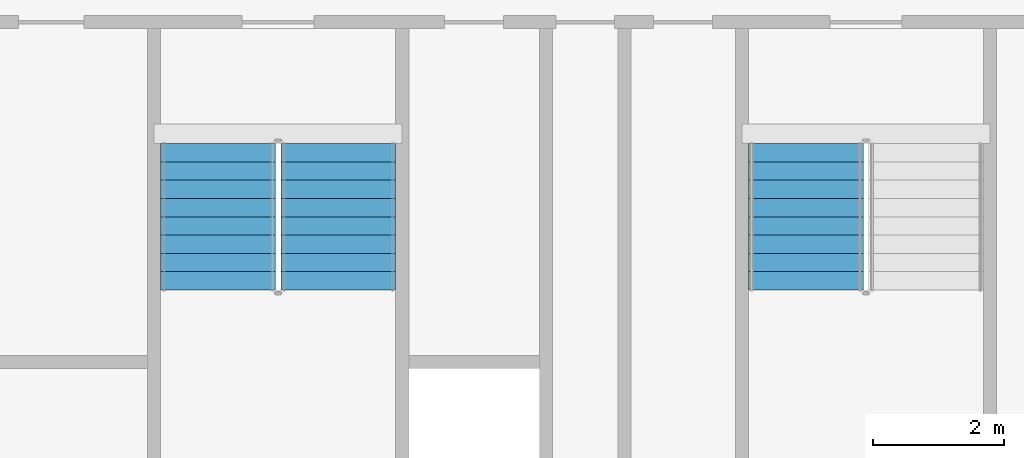
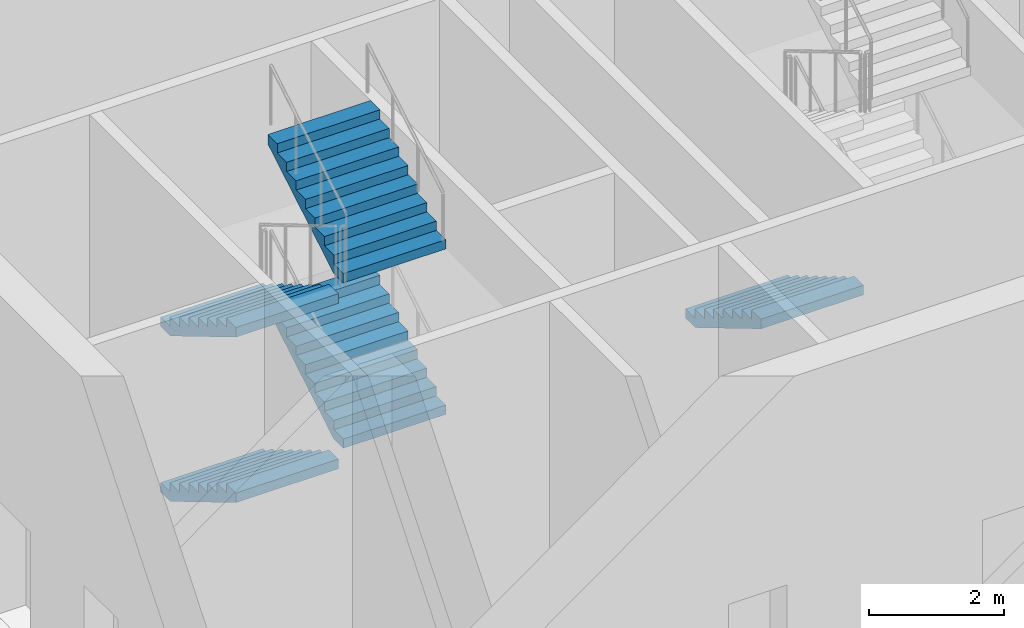
# One storey, part 24 of 33: 5 stair flights, 2 elements without a shape of their own.
"""IFC4 building model written with IfcOpenShell, lengths in metres."""

from ifc_helpers import new_model, si_unit, direction, frame, origin, place, context, subcontext, project, spatial, faceted_brep, material, type_object, element, aggregate, save


model = new_model("IFC4")

# Units and contexts
model_context = context("Model", 3, precision=1e-05, world=origin(), true_north=direction((0.0, 1.0)))
body_context = subcontext(model_context, "Body", "Model", "MODEL_VIEW")
ifc_project = project(units=[si_unit("LENGTHUNIT", "METRE"), si_unit("AREAUNIT", "SQUARE_METRE"), si_unit("VOLUMEUNIT", "CUBIC_METRE"), si_unit("PLANEANGLEUNIT", "RADIAN"), si_unit("MASSUNIT", "GRAM", prefix="KILO")], contexts=[model_context])

# Site, building, storey
site_placement = place(None, origin())
site = spatial("IfcSite", under=ifc_project, at=site_placement, CompositionType="ELEMENT")
building_placement = place(site_placement, origin())
building = spatial("IfcBuilding", under=site, at=building_placement, Name="Tarsis Ring Headquarters", CompositionType="ELEMENT")
storey_placement = place(building_placement, frame((0.0, 0.0, 302.0)))
storey = spatial("IfcBuildingStorey", under=building, at=storey_placement, Name="L71", CompositionType="ELEMENT", Elevation=302.0)

# Stair, stair flights
ifc_material_1 = material(Name="Core stair 1760")
stair_type = type_object("IfcStairType", Name="Core stair 1760", PredefinedType="HALF_TURN_STAIR", material=ifc_material_1)
stair_1_placement = place(storey_placement, origin())
stair_1 = element("IfcStair", 1, at=stair_1_placement, inside=storey, type_object=stair_type, Name="L71 Exit stair C", PredefinedType="HALF_TURN_STAIR")
ifc_material_2 = material(Name="Concrete C40/50", Category="concrete")
stair_flight_type = type_object("IfcStairFlightType", Name="Core stair flight 1760", PredefinedType="STRAIGHT", material=ifc_material_2)
stair_flight_1_placement = place(storey_placement, frame((-5.419921875, -3.659912109375, 0.0), z_axis=(0.0, 0.0, 1.0), x_axis=(0.0, -1.0, 0.0)))
stair_flight_1 = element("IfcStairFlight", 2, at=stair_flight_1_placement, type_object=stair_flight_type, Name="Stair ST3 flight 1", NumberOfRisers=9, NumberOfTreads=8, PredefinedType="STRAIGHT", RiserHeight=0.166666667, TreadLength=0.28, context=body_context, shape_type="Brep", body=[
    faceted_brep([(0.0, 0.8798828125, 0.0), (0.0, 0.8798828125, 0.166748046875), (0.280029296875, 0.8798828125, 0.166748046875), (0.280029296875, 0.8798828125, 0.333251953125), (0.56005859375, 0.8798828125, 0.333251953125), (0.56005859375, 0.8798828125, 0.5), (0.840087890625, 0.8798828125, 0.5), (0.840087890625, 0.8798828125, 0.666748046875), (1.1201171875, 0.8798828125, 0.666748046875), (1.1201171875, 0.8798828125, 0.833251953125), (1.39990234375, 0.8798828125, 0.833251953125), (1.39990234375, 0.8798828125, 1.0), (1.679931640625, 0.8798828125, 1.0), (1.679931640625, 0.8798828125, 1.166748046875), (1.9599609375, 0.8798828125, 1.166748046875), (1.9599609375, 0.8798828125, 1.333251953125), (2.239990234375, 0.8798828125, 1.333251953125), (2.239990234375, 0.8798828125, 1.158935546875), (0.29296875, 0.8798828125, 0.0), (0.29296875, -0.8798828125, 0.0), (2.239990234375, -0.8798828125, 1.158935546875), (2.239990234375, -0.8798828125, 1.333251953125), (1.9599609375, -0.8798828125, 1.333251953125), (1.9599609375, -0.8798828125, 1.166748046875), (1.679931640625, -0.8798828125, 1.166748046875), (1.679931640625, -0.8798828125, 1.0), (1.39990234375, -0.8798828125, 1.0), (1.39990234375, -0.8798828125, 0.833251953125), (1.1201171875, -0.8798828125, 0.833251953125), (1.1201171875, -0.8798828125, 0.666748046875), (0.840087890625, -0.8798828125, 0.666748046875), (0.840087890625, -0.8798828125, 0.5), (0.56005859375, -0.8798828125, 0.5), (0.56005859375, -0.8798828125, 0.333251953125), (0.280029296875, -0.8798828125, 0.333251953125), (0.280029296875, -0.8798828125, 0.166748046875), (0.0, -0.8798828125, 0.166748046875), (0.0, -0.8798828125, 0.0), (0.0, -0.43994140625, 0.166748046875), (0.0, -0.43994140625, 0.0), (0.0, 0.0, 0.166748046875), (0.0, 0.0, 0.0), (0.0, 0.43994140625, 0.166748046875), (0.0, 0.43994140625, 0.0), (0.280029296875, -0.43994140625, 0.166748046875), (0.280029296875, 0.0, 0.166748046875), (0.280029296875, 0.43994140625, 0.166748046875), (0.280029296875, -0.43994140625, 0.333251953125), (0.280029296875, 0.0, 0.333251953125), (0.280029296875, 0.43994140625, 0.333251953125), (0.56005859375, -0.43994140625, 0.333251953125), (0.56005859375, 0.0, 0.333251953125), (0.56005859375, 0.43994140625, 0.333251953125), (0.56005859375, -0.43994140625, 0.5), (0.56005859375, 0.0, 0.5), (0.56005859375, 0.43994140625, 0.5), (0.840087890625, -0.43994140625, 0.5), (0.840087890625, 0.0, 0.5), (0.840087890625, 0.43994140625, 0.5), (0.840087890625, -0.43994140625, 0.666748046875), (0.840087890625, 0.0, 0.666748046875), (0.840087890625, 0.43994140625, 0.666748046875), (1.1201171875, -0.43994140625, 0.666748046875), (1.1201171875, 0.0, 0.666748046875), (1.1201171875, 0.43994140625, 0.666748046875), (1.1201171875, -0.43994140625, 0.833251953125), (1.1201171875, 0.0, 0.833251953125), (1.1201171875, 0.43994140625, 0.833251953125), (1.39990234375, -0.43994140625, 0.833251953125), (1.39990234375, 0.0, 0.833251953125), (1.39990234375, 0.43994140625, 0.833251953125), (1.39990234375, -0.43994140625, 1.0), (1.39990234375, 0.0, 1.0), (1.39990234375, 0.43994140625, 1.0), (1.679931640625, -0.43994140625, 1.0), (1.679931640625, 0.0, 1.0), (1.679931640625, 0.43994140625, 1.0), (1.679931640625, -0.43994140625, 1.166748046875), (1.679931640625, 0.0, 1.166748046875), (1.679931640625, 0.43994140625, 1.166748046875), (1.9599609375, -0.43994140625, 1.166748046875), (1.9599609375, 0.0, 1.166748046875), (1.9599609375, 0.43994140625, 1.166748046875), (1.9599609375, -0.43994140625, 1.333251953125), (1.9599609375, 0.0, 1.333251953125), (1.9599609375, 0.43994140625, 1.333251953125), (2.239990234375, -0.43994140625, 1.333251953125), (2.239990234375, 0.0, 1.333251953125), (2.239990234375, 0.43994140625, 1.333251953125), (2.239990234375, -0.43994140625, 1.158935546875), (2.239990234375, 0.0, 1.158935546875), (2.239990234375, 0.43994140625, 1.158935546875), (0.29296875, -0.43994140625, 0.0), (0.29296875, 0.0, 0.0), (0.29296875, 0.43994140625, 0.0)], [[[0, 1, 2, 3, 4, 5, 6, 7, 8, 9, 10, 11, 12, 13, 14, 15, 16, 17, 18]], [[19, 20, 21, 22, 23, 24, 25, 26, 27, 28, 29, 30, 31, 32, 33, 34, 35, 36, 37]], [[37, 36, 38, 39]], [[39, 38, 40, 41]], [[41, 40, 42, 43]], [[43, 42, 1, 0]], [[36, 35, 44, 38]], [[38, 44, 45, 40]], [[40, 45, 46, 42]], [[42, 46, 2, 1]], [[35, 34, 47, 44]], [[44, 47, 48, 45]], [[45, 48, 49, 46]], [[46, 49, 3, 2]], [[34, 33, 50, 47]], [[47, 50, 51, 48]], [[48, 51, 52, 49]], [[49, 52, 4, 3]], [[33, 32, 53, 50]], [[50, 53, 54, 51]], [[51, 54, 55, 52]], [[52, 55, 5, 4]], [[32, 31, 56, 53]], [[53, 56, 57, 54]], [[54, 57, 58, 55]], [[55, 58, 6, 5]], [[31, 30, 59, 56]], [[56, 59, 60, 57]], [[57, 60, 61, 58]], [[58, 61, 7, 6]], [[30, 29, 62, 59]], [[59, 62, 63, 60]], [[60, 63, 64, 61]], [[61, 64, 8, 7]], [[29, 28, 65, 62]], [[62, 65, 66, 63]], [[63, 66, 67, 64]], [[64, 67, 9, 8]], [[28, 27, 68, 65]], [[65, 68, 69, 66]], [[66, 69, 70, 67]], [[67, 70, 10, 9]], [[27, 26, 71, 68]], [[68, 71, 72, 69]], [[69, 72, 73, 70]], [[70, 73, 11, 10]], [[26, 25, 74, 71]], [[71, 74, 75, 72]], [[72, 75, 76, 73]], [[73, 76, 12, 11]], [[25, 24, 77, 74]], [[74, 77, 78, 75]], [[75, 78, 79, 76]], [[76, 79, 13, 12]], [[24, 23, 80, 77]], [[77, 80, 81, 78]], [[78, 81, 82, 79]], [[79, 82, 14, 13]], [[23, 22, 83, 80]], [[80, 83, 84, 81]], [[81, 84, 85, 82]], [[82, 85, 15, 14]], [[22, 21, 86, 83]], [[83, 86, 87, 84]], [[84, 87, 88, 85]], [[85, 88, 16, 15]], [[21, 20, 89, 86]], [[86, 89, 90, 87]], [[87, 90, 91, 88]], [[88, 91, 17, 16]], [[20, 19, 92, 89]], [[89, 92, 93, 90]], [[90, 93, 94, 91]], [[91, 94, 18, 17]], [[19, 37, 39, 92]], [[92, 39, 41, 93]], [[93, 41, 43, 94]], [[94, 43, 0, 18]]]),
])
stair_flight_2_placement = place(storey_placement, frame((-3.580078125, -5.89990234375, 1.5), z_axis=(0.0, 0.0, 1.0), x_axis=(0.0, 1.0, 0.0)))
stair_flight_2 = element("IfcStairFlight", 3, at=stair_flight_2_placement, type_object=stair_flight_type, Name="Stair ST3 flight 2", NumberOfRisers=9, NumberOfTreads=8, PredefinedType="STRAIGHT", RiserHeight=0.166666667, TreadLength=0.28, context=body_context, shape_type="Brep", body=[
    faceted_brep([(0.0, 0.8798828125, 0.0), (0.0, 0.8798828125, 0.166748046875), (0.280029296875, 0.8798828125, 0.166748046875), (0.280029296875, 0.8798828125, 0.333251953125), (0.56005859375, 0.8798828125, 0.333251953125), (0.56005859375, 0.8798828125, 0.5), (0.840087890625, 0.8798828125, 0.5), (0.840087890625, 0.8798828125, 0.666748046875), (1.1201171875, 0.8798828125, 0.666748046875), (1.1201171875, 0.8798828125, 0.833251953125), (1.39990234375, 0.8798828125, 0.833251953125), (1.39990234375, 0.8798828125, 1.0), (1.679931640625, 0.8798828125, 1.0), (1.679931640625, 0.8798828125, 1.166748046875), (1.9599609375, 0.8798828125, 1.166748046875), (1.9599609375, 0.8798828125, 1.333251953125), (2.239990234375, 0.8798828125, 1.333251953125), (2.239990234375, 0.8798828125, 1.158935546875), (0.29296875, 0.8798828125, 0.0), (0.29296875, -0.8798828125, 0.0), (2.239990234375, -0.8798828125, 1.158935546875), (2.239990234375, -0.8798828125, 1.333251953125), (1.9599609375, -0.8798828125, 1.333251953125), (1.9599609375, -0.8798828125, 1.166748046875), (1.679931640625, -0.8798828125, 1.166748046875), (1.679931640625, -0.8798828125, 1.0), (1.39990234375, -0.8798828125, 1.0), (1.39990234375, -0.8798828125, 0.833251953125), (1.1201171875, -0.8798828125, 0.833251953125), (1.1201171875, -0.8798828125, 0.666748046875), (0.840087890625, -0.8798828125, 0.666748046875), (0.840087890625, -0.8798828125, 0.5), (0.56005859375, -0.8798828125, 0.5), (0.56005859375, -0.8798828125, 0.333251953125), (0.280029296875, -0.8798828125, 0.333251953125), (0.280029296875, -0.8798828125, 0.166748046875), (0.0, -0.8798828125, 0.166748046875), (0.0, -0.8798828125, 0.0), (0.0, -0.43994140625, 0.166748046875), (0.0, -0.43994140625, 0.0), (0.0, 0.0, 0.166748046875), (0.0, 0.0, 0.0), (0.0, 0.43994140625, 0.166748046875), (0.0, 0.43994140625, 0.0), (0.280029296875, -0.43994140625, 0.166748046875), (0.280029296875, 0.0, 0.166748046875), (0.280029296875, 0.43994140625, 0.166748046875), (0.280029296875, -0.43994140625, 0.333251953125), (0.280029296875, 0.0, 0.333251953125), (0.280029296875, 0.43994140625, 0.333251953125), (0.56005859375, -0.43994140625, 0.333251953125), (0.56005859375, 0.0, 0.333251953125), (0.56005859375, 0.43994140625, 0.333251953125), (0.56005859375, -0.43994140625, 0.5), (0.56005859375, 0.0, 0.5), (0.56005859375, 0.43994140625, 0.5), (0.840087890625, -0.43994140625, 0.5), (0.840087890625, 0.0, 0.5), (0.840087890625, 0.43994140625, 0.5), (0.840087890625, -0.43994140625, 0.666748046875), (0.840087890625, 0.0, 0.666748046875), (0.840087890625, 0.43994140625, 0.666748046875), (1.1201171875, -0.43994140625, 0.666748046875), (1.1201171875, 0.0, 0.666748046875), (1.1201171875, 0.43994140625, 0.666748046875), (1.1201171875, -0.43994140625, 0.833251953125), (1.1201171875, 0.0, 0.833251953125), (1.1201171875, 0.43994140625, 0.833251953125), (1.39990234375, -0.43994140625, 0.833251953125), (1.39990234375, 0.0, 0.833251953125), (1.39990234375, 0.43994140625, 0.833251953125), (1.39990234375, -0.43994140625, 1.0), (1.39990234375, 0.0, 1.0), (1.39990234375, 0.43994140625, 1.0), (1.679931640625, -0.43994140625, 1.0), (1.679931640625, 0.0, 1.0), (1.679931640625, 0.43994140625, 1.0), (1.679931640625, -0.43994140625, 1.166748046875), (1.679931640625, 0.0, 1.166748046875), (1.679931640625, 0.43994140625, 1.166748046875), (1.9599609375, -0.43994140625, 1.166748046875), (1.9599609375, 0.0, 1.166748046875), (1.9599609375, 0.43994140625, 1.166748046875), (1.9599609375, -0.43994140625, 1.333251953125), (1.9599609375, 0.0, 1.333251953125), (1.9599609375, 0.43994140625, 1.333251953125), (2.239990234375, -0.43994140625, 1.333251953125), (2.239990234375, 0.0, 1.333251953125), (2.239990234375, 0.43994140625, 1.333251953125), (2.239990234375, -0.43994140625, 1.158935546875), (2.239990234375, 0.0, 1.158935546875), (2.239990234375, 0.43994140625, 1.158935546875), (0.29296875, -0.43994140625, 0.0), (0.29296875, 0.0, 0.0), (0.29296875, 0.43994140625, 0.0)], [[[0, 1, 2, 3, 4, 5, 6, 7, 8, 9, 10, 11, 12, 13, 14, 15, 16, 17, 18]], [[19, 20, 21, 22, 23, 24, 25, 26, 27, 28, 29, 30, 31, 32, 33, 34, 35, 36, 37]], [[37, 36, 38, 39]], [[39, 38, 40, 41]], [[41, 40, 42, 43]], [[43, 42, 1, 0]], [[36, 35, 44, 38]], [[38, 44, 45, 40]], [[40, 45, 46, 42]], [[42, 46, 2, 1]], [[35, 34, 47, 44]], [[44, 47, 48, 45]], [[45, 48, 49, 46]], [[46, 49, 3, 2]], [[34, 33, 50, 47]], [[47, 50, 51, 48]], [[48, 51, 52, 49]], [[49, 52, 4, 3]], [[33, 32, 53, 50]], [[50, 53, 54, 51]], [[51, 54, 55, 52]], [[52, 55, 5, 4]], [[32, 31, 56, 53]], [[53, 56, 57, 54]], [[54, 57, 58, 55]], [[55, 58, 6, 5]], [[31, 30, 59, 56]], [[56, 59, 60, 57]], [[57, 60, 61, 58]], [[58, 61, 7, 6]], [[30, 29, 62, 59]], [[59, 62, 63, 60]], [[60, 63, 64, 61]], [[61, 64, 8, 7]], [[29, 28, 65, 62]], [[62, 65, 66, 63]], [[63, 66, 67, 64]], [[64, 67, 9, 8]], [[28, 27, 68, 65]], [[65, 68, 69, 66]], [[66, 69, 70, 67]], [[67, 70, 10, 9]], [[27, 26, 71, 68]], [[68, 71, 72, 69]], [[69, 72, 73, 70]], [[70, 73, 11, 10]], [[26, 25, 74, 71]], [[71, 74, 75, 72]], [[72, 75, 76, 73]], [[73, 76, 12, 11]], [[25, 24, 77, 74]], [[74, 77, 78, 75]], [[75, 78, 79, 76]], [[76, 79, 13, 12]], [[24, 23, 80, 77]], [[77, 80, 81, 78]], [[78, 81, 82, 79]], [[79, 82, 14, 13]], [[23, 22, 83, 80]], [[80, 83, 84, 81]], [[81, 84, 85, 82]], [[82, 85, 15, 14]], [[22, 21, 86, 83]], [[83, 86, 87, 84]], [[84, 87, 88, 85]], [[85, 88, 16, 15]], [[21, 20, 89, 86]], [[86, 89, 90, 87]], [[87, 90, 91, 88]], [[88, 91, 17, 16]], [[20, 19, 92, 89]], [[89, 92, 93, 90]], [[90, 93, 94, 91]], [[91, 94, 18, 17]], [[19, 37, 39, 92]], [[92, 39, 41, 93]], [[93, 41, 43, 94]], [[94, 43, 0, 18]]]),
])
stair_flight_3_placement = place(storey_placement, frame((-5.419921875, -3.659912109375, 3.0), z_axis=(0.0, 0.0, 1.0), x_axis=(0.0, -1.0, 0.0)))
stair_flight_3 = element("IfcStairFlight", 4, at=stair_flight_3_placement, type_object=stair_flight_type, Name="Stair ST3 flight 3", NumberOfRisers=9, NumberOfTreads=8, PredefinedType="STRAIGHT", RiserHeight=0.166666667, TreadLength=0.28, context=body_context, shape_type="Brep", body=[
    faceted_brep([(0.0, 0.8798828125, 0.0), (0.0, 0.8798828125, 0.166748046875), (0.280029296875, 0.8798828125, 0.166748046875), (0.280029296875, 0.8798828125, 0.333251953125), (0.56005859375, 0.8798828125, 0.333251953125), (0.56005859375, 0.8798828125, 0.5), (0.840087890625, 0.8798828125, 0.5), (0.840087890625, 0.8798828125, 0.666748046875), (1.1201171875, 0.8798828125, 0.666748046875), (1.1201171875, 0.8798828125, 0.833251953125), (1.39990234375, 0.8798828125, 0.833251953125), (1.39990234375, 0.8798828125, 1.0), (1.679931640625, 0.8798828125, 1.0), (1.679931640625, 0.8798828125, 1.166748046875), (1.9599609375, 0.8798828125, 1.166748046875), (1.9599609375, 0.8798828125, 1.333251953125), (2.239990234375, 0.8798828125, 1.333251953125), (2.239990234375, 0.8798828125, 1.158935546875), (0.29296875, 0.8798828125, 0.0), (0.29296875, -0.8798828125, 0.0), (2.239990234375, -0.8798828125, 1.158935546875), (2.239990234375, -0.8798828125, 1.333251953125), (1.9599609375, -0.8798828125, 1.333251953125), (1.9599609375, -0.8798828125, 1.166748046875), (1.679931640625, -0.8798828125, 1.166748046875), (1.679931640625, -0.8798828125, 1.0), (1.39990234375, -0.8798828125, 1.0), (1.39990234375, -0.8798828125, 0.833251953125), (1.1201171875, -0.8798828125, 0.833251953125), (1.1201171875, -0.8798828125, 0.666748046875), (0.840087890625, -0.8798828125, 0.666748046875), (0.840087890625, -0.8798828125, 0.5), (0.56005859375, -0.8798828125, 0.5), (0.56005859375, -0.8798828125, 0.333251953125), (0.280029296875, -0.8798828125, 0.333251953125), (0.280029296875, -0.8798828125, 0.166748046875), (0.0, -0.8798828125, 0.166748046875), (0.0, -0.8798828125, 0.0), (0.0, -0.43994140625, 0.166748046875), (0.0, -0.43994140625, 0.0), (0.0, 0.0, 0.166748046875), (0.0, 0.0, 0.0), (0.0, 0.43994140625, 0.166748046875), (0.0, 0.43994140625, 0.0), (0.280029296875, -0.43994140625, 0.166748046875), (0.280029296875, 0.0, 0.166748046875), (0.280029296875, 0.43994140625, 0.166748046875), (0.280029296875, -0.43994140625, 0.333251953125), (0.280029296875, 0.0, 0.333251953125), (0.280029296875, 0.43994140625, 0.333251953125), (0.56005859375, -0.43994140625, 0.333251953125), (0.56005859375, 0.0, 0.333251953125), (0.56005859375, 0.43994140625, 0.333251953125), (0.56005859375, -0.43994140625, 0.5), (0.56005859375, 0.0, 0.5), (0.56005859375, 0.43994140625, 0.5), (0.840087890625, -0.43994140625, 0.5), (0.840087890625, 0.0, 0.5), (0.840087890625, 0.43994140625, 0.5), (0.840087890625, -0.43994140625, 0.666748046875), (0.840087890625, 0.0, 0.666748046875), (0.840087890625, 0.43994140625, 0.666748046875), (1.1201171875, -0.43994140625, 0.666748046875), (1.1201171875, 0.0, 0.666748046875), (1.1201171875, 0.43994140625, 0.666748046875), (1.1201171875, -0.43994140625, 0.833251953125), (1.1201171875, 0.0, 0.833251953125), (1.1201171875, 0.43994140625, 0.833251953125), (1.39990234375, -0.43994140625, 0.833251953125), (1.39990234375, 0.0, 0.833251953125), (1.39990234375, 0.43994140625, 0.833251953125), (1.39990234375, -0.43994140625, 1.0), (1.39990234375, 0.0, 1.0), (1.39990234375, 0.43994140625, 1.0), (1.679931640625, -0.43994140625, 1.0), (1.679931640625, 0.0, 1.0), (1.679931640625, 0.43994140625, 1.0), (1.679931640625, -0.43994140625, 1.166748046875), (1.679931640625, 0.0, 1.166748046875), (1.679931640625, 0.43994140625, 1.166748046875), (1.9599609375, -0.43994140625, 1.166748046875), (1.9599609375, 0.0, 1.166748046875), (1.9599609375, 0.43994140625, 1.166748046875), (1.9599609375, -0.43994140625, 1.333251953125), (1.9599609375, 0.0, 1.333251953125), (1.9599609375, 0.43994140625, 1.333251953125), (2.239990234375, -0.43994140625, 1.333251953125), (2.239990234375, 0.0, 1.333251953125), (2.239990234375, 0.43994140625, 1.333251953125), (2.239990234375, -0.43994140625, 1.158935546875), (2.239990234375, 0.0, 1.158935546875), (2.239990234375, 0.43994140625, 1.158935546875), (0.29296875, -0.43994140625, 0.0), (0.29296875, 0.0, 0.0), (0.29296875, 0.43994140625, 0.0)], [[[0, 1, 2, 3, 4, 5, 6, 7, 8, 9, 10, 11, 12, 13, 14, 15, 16, 17, 18]], [[19, 20, 21, 22, 23, 24, 25, 26, 27, 28, 29, 30, 31, 32, 33, 34, 35, 36, 37]], [[37, 36, 38, 39]], [[39, 38, 40, 41]], [[41, 40, 42, 43]], [[43, 42, 1, 0]], [[36, 35, 44, 38]], [[38, 44, 45, 40]], [[40, 45, 46, 42]], [[42, 46, 2, 1]], [[35, 34, 47, 44]], [[44, 47, 48, 45]], [[45, 48, 49, 46]], [[46, 49, 3, 2]], [[34, 33, 50, 47]], [[47, 50, 51, 48]], [[48, 51, 52, 49]], [[49, 52, 4, 3]], [[33, 32, 53, 50]], [[50, 53, 54, 51]], [[51, 54, 55, 52]], [[52, 55, 5, 4]], [[32, 31, 56, 53]], [[53, 56, 57, 54]], [[54, 57, 58, 55]], [[55, 58, 6, 5]], [[31, 30, 59, 56]], [[56, 59, 60, 57]], [[57, 60, 61, 58]], [[58, 61, 7, 6]], [[30, 29, 62, 59]], [[59, 62, 63, 60]], [[60, 63, 64, 61]], [[61, 64, 8, 7]], [[29, 28, 65, 62]], [[62, 65, 66, 63]], [[63, 66, 67, 64]], [[64, 67, 9, 8]], [[28, 27, 68, 65]], [[65, 68, 69, 66]], [[66, 69, 70, 67]], [[67, 70, 10, 9]], [[27, 26, 71, 68]], [[68, 71, 72, 69]], [[69, 72, 73, 70]], [[70, 73, 11, 10]], [[26, 25, 74, 71]], [[71, 74, 75, 72]], [[72, 75, 76, 73]], [[73, 76, 12, 11]], [[25, 24, 77, 74]], [[74, 77, 78, 75]], [[75, 78, 79, 76]], [[76, 79, 13, 12]], [[24, 23, 80, 77]], [[77, 80, 81, 78]], [[78, 81, 82, 79]], [[79, 82, 14, 13]], [[23, 22, 83, 80]], [[80, 83, 84, 81]], [[81, 84, 85, 82]], [[82, 85, 15, 14]], [[22, 21, 86, 83]], [[83, 86, 87, 84]], [[84, 87, 88, 85]], [[85, 88, 16, 15]], [[21, 20, 89, 86]], [[86, 89, 90, 87]], [[87, 90, 91, 88]], [[88, 91, 17, 16]], [[20, 19, 92, 89]], [[89, 92, 93, 90]], [[90, 93, 94, 91]], [[91, 94, 18, 17]], [[19, 37, 39, 92]], [[92, 39, 41, 93]], [[93, 41, 43, 94]], [[94, 43, 0, 18]]]),
])
stair_flight_4_placement = place(storey_placement, frame((-3.580078125, -5.89990234375, 4.5), z_axis=(0.0, 0.0, 1.0), x_axis=(0.0, 1.0, 0.0)))
stair_flight_4 = element("IfcStairFlight", 5, at=stair_flight_4_placement, type_object=stair_flight_type, Name="Stair ST3 flight 4", NumberOfRisers=9, NumberOfTreads=8, PredefinedType="STRAIGHT", RiserHeight=0.166666667, TreadLength=0.28, context=body_context, shape_type="Brep", body=[
    faceted_brep([(0.0, 0.8798828125, 0.0), (0.0, 0.8798828125, 0.166748046875), (0.280029296875, 0.8798828125, 0.166748046875), (0.280029296875, 0.8798828125, 0.333251953125), (0.56005859375, 0.8798828125, 0.333251953125), (0.56005859375, 0.8798828125, 0.5), (0.840087890625, 0.8798828125, 0.5), (0.840087890625, 0.8798828125, 0.666748046875), (1.1201171875, 0.8798828125, 0.666748046875), (1.1201171875, 0.8798828125, 0.833251953125), (1.39990234375, 0.8798828125, 0.833251953125), (1.39990234375, 0.8798828125, 1.0), (1.679931640625, 0.8798828125, 1.0), (1.679931640625, 0.8798828125, 1.166748046875), (1.9599609375, 0.8798828125, 1.166748046875), (1.9599609375, 0.8798828125, 1.333251953125), (2.239990234375, 0.8798828125, 1.333251953125), (2.239990234375, 0.8798828125, 1.158935546875), (0.29296875, 0.8798828125, 0.0), (0.29296875, -0.8798828125, 0.0), (2.239990234375, -0.8798828125, 1.158935546875), (2.239990234375, -0.8798828125, 1.333251953125), (1.9599609375, -0.8798828125, 1.333251953125), (1.9599609375, -0.8798828125, 1.166748046875), (1.679931640625, -0.8798828125, 1.166748046875), (1.679931640625, -0.8798828125, 1.0), (1.39990234375, -0.8798828125, 1.0), (1.39990234375, -0.8798828125, 0.833251953125), (1.1201171875, -0.8798828125, 0.833251953125), (1.1201171875, -0.8798828125, 0.666748046875), (0.840087890625, -0.8798828125, 0.666748046875), (0.840087890625, -0.8798828125, 0.5), (0.56005859375, -0.8798828125, 0.5), (0.56005859375, -0.8798828125, 0.333251953125), (0.280029296875, -0.8798828125, 0.333251953125), (0.280029296875, -0.8798828125, 0.166748046875), (0.0, -0.8798828125, 0.166748046875), (0.0, -0.8798828125, 0.0), (0.0, -0.43994140625, 0.166748046875), (0.0, -0.43994140625, 0.0), (0.0, 0.0, 0.166748046875), (0.0, 0.0, 0.0), (0.0, 0.43994140625, 0.166748046875), (0.0, 0.43994140625, 0.0), (0.280029296875, -0.43994140625, 0.166748046875), (0.280029296875, 0.0, 0.166748046875), (0.280029296875, 0.43994140625, 0.166748046875), (0.280029296875, -0.43994140625, 0.333251953125), (0.280029296875, 0.0, 0.333251953125), (0.280029296875, 0.43994140625, 0.333251953125), (0.56005859375, -0.43994140625, 0.333251953125), (0.56005859375, 0.0, 0.333251953125), (0.56005859375, 0.43994140625, 0.333251953125), (0.56005859375, -0.43994140625, 0.5), (0.56005859375, 0.0, 0.5), (0.56005859375, 0.43994140625, 0.5), (0.840087890625, -0.43994140625, 0.5), (0.840087890625, 0.0, 0.5), (0.840087890625, 0.43994140625, 0.5), (0.840087890625, -0.43994140625, 0.666748046875), (0.840087890625, 0.0, 0.666748046875), (0.840087890625, 0.43994140625, 0.666748046875), (1.1201171875, -0.43994140625, 0.666748046875), (1.1201171875, 0.0, 0.666748046875), (1.1201171875, 0.43994140625, 0.666748046875), (1.1201171875, -0.43994140625, 0.833251953125), (1.1201171875, 0.0, 0.833251953125), (1.1201171875, 0.43994140625, 0.833251953125), (1.39990234375, -0.43994140625, 0.833251953125), (1.39990234375, 0.0, 0.833251953125), (1.39990234375, 0.43994140625, 0.833251953125), (1.39990234375, -0.43994140625, 1.0), (1.39990234375, 0.0, 1.0), (1.39990234375, 0.43994140625, 1.0), (1.679931640625, -0.43994140625, 1.0), (1.679931640625, 0.0, 1.0), (1.679931640625, 0.43994140625, 1.0), (1.679931640625, -0.43994140625, 1.166748046875), (1.679931640625, 0.0, 1.166748046875), (1.679931640625, 0.43994140625, 1.166748046875), (1.9599609375, -0.43994140625, 1.166748046875), (1.9599609375, 0.0, 1.166748046875), (1.9599609375, 0.43994140625, 1.166748046875), (1.9599609375, -0.43994140625, 1.333251953125), (1.9599609375, 0.0, 1.333251953125), (1.9599609375, 0.43994140625, 1.333251953125), (2.239990234375, -0.43994140625, 1.333251953125), (2.239990234375, 0.0, 1.333251953125), (2.239990234375, 0.43994140625, 1.333251953125), (2.239990234375, -0.43994140625, 1.158935546875), (2.239990234375, 0.0, 1.158935546875), (2.239990234375, 0.43994140625, 1.158935546875), (0.29296875, -0.43994140625, 0.0), (0.29296875, 0.0, 0.0), (0.29296875, 0.43994140625, 0.0)], [[[0, 1, 2, 3, 4, 5, 6, 7, 8, 9, 10, 11, 12, 13, 14, 15, 16, 17, 18]], [[19, 20, 21, 22, 23, 24, 25, 26, 27, 28, 29, 30, 31, 32, 33, 34, 35, 36, 37]], [[37, 36, 38, 39]], [[39, 38, 40, 41]], [[41, 40, 42, 43]], [[43, 42, 1, 0]], [[36, 35, 44, 38]], [[38, 44, 45, 40]], [[40, 45, 46, 42]], [[42, 46, 2, 1]], [[35, 34, 47, 44]], [[44, 47, 48, 45]], [[45, 48, 49, 46]], [[46, 49, 3, 2]], [[34, 33, 50, 47]], [[47, 50, 51, 48]], [[48, 51, 52, 49]], [[49, 52, 4, 3]], [[33, 32, 53, 50]], [[50, 53, 54, 51]], [[51, 54, 55, 52]], [[52, 55, 5, 4]], [[32, 31, 56, 53]], [[53, 56, 57, 54]], [[54, 57, 58, 55]], [[55, 58, 6, 5]], [[31, 30, 59, 56]], [[56, 59, 60, 57]], [[57, 60, 61, 58]], [[58, 61, 7, 6]], [[30, 29, 62, 59]], [[59, 62, 63, 60]], [[60, 63, 64, 61]], [[61, 64, 8, 7]], [[29, 28, 65, 62]], [[62, 65, 66, 63]], [[63, 66, 67, 64]], [[64, 67, 9, 8]], [[28, 27, 68, 65]], [[65, 68, 69, 66]], [[66, 69, 70, 67]], [[67, 70, 10, 9]], [[27, 26, 71, 68]], [[68, 71, 72, 69]], [[69, 72, 73, 70]], [[70, 73, 11, 10]], [[26, 25, 74, 71]], [[71, 74, 75, 72]], [[72, 75, 76, 73]], [[73, 76, 12, 11]], [[25, 24, 77, 74]], [[74, 77, 78, 75]], [[75, 78, 79, 76]], [[76, 79, 13, 12]], [[24, 23, 80, 77]], [[77, 80, 81, 78]], [[78, 81, 82, 79]], [[79, 82, 14, 13]], [[23, 22, 83, 80]], [[80, 83, 84, 81]], [[81, 84, 85, 82]], [[82, 85, 15, 14]], [[22, 21, 86, 83]], [[83, 86, 87, 84]], [[84, 87, 88, 85]], [[85, 88, 16, 15]], [[21, 20, 89, 86]], [[86, 89, 90, 87]], [[87, 90, 91, 88]], [[88, 91, 17, 16]], [[20, 19, 92, 89]], [[89, 92, 93, 90]], [[90, 93, 94, 91]], [[91, 94, 18, 17]], [[19, 37, 39, 92]], [[92, 39, 41, 93]], [[93, 41, 43, 94]], [[94, 43, 0, 18]]]),
])
aggregate(stair_1, [stair_flight_1, stair_flight_2, stair_flight_3, stair_flight_4])

# Stair, stair flight
stair_2_placement = place(storey_placement, origin())
stair_2 = element("IfcStair", 6, at=stair_2_placement, inside=storey, type_object=stair_type, Name="L71 Exit stair D", PredefinedType="HALF_TURN_STAIR")
stair_flight_5_placement = place(storey_placement, frame((3.580078125, -3.659912109375, 0.0), z_axis=(0.0, 0.0, 1.0), x_axis=(0.0, -1.0, 0.0)))
stair_flight_5 = element("IfcStairFlight", 7, at=stair_flight_5_placement, type_object=stair_flight_type, Name="Stair ST4 flight 1", NumberOfRisers=9, NumberOfTreads=8, PredefinedType="STRAIGHT", RiserHeight=0.166666667, TreadLength=0.28, context=body_context, shape_type="Brep", body=[
    faceted_brep([(0.0, 0.8798828125, 0.0), (0.0, 0.8798828125, 0.166748046875), (0.280029296875, 0.8798828125, 0.166748046875), (0.280029296875, 0.8798828125, 0.333251953125), (0.56005859375, 0.8798828125, 0.333251953125), (0.56005859375, 0.8798828125, 0.5), (0.840087890625, 0.8798828125, 0.5), (0.840087890625, 0.8798828125, 0.666748046875), (1.1201171875, 0.8798828125, 0.666748046875), (1.1201171875, 0.8798828125, 0.833251953125), (1.39990234375, 0.8798828125, 0.833251953125), (1.39990234375, 0.8798828125, 1.0), (1.679931640625, 0.8798828125, 1.0), (1.679931640625, 0.8798828125, 1.166748046875), (1.9599609375, 0.8798828125, 1.166748046875), (1.9599609375, 0.8798828125, 1.333251953125), (2.239990234375, 0.8798828125, 1.333251953125), (2.239990234375, 0.8798828125, 1.158935546875), (0.29296875, 0.8798828125, 0.0), (0.29296875, -0.8798828125, 0.0), (2.239990234375, -0.8798828125, 1.158935546875), (2.239990234375, -0.8798828125, 1.333251953125), (1.9599609375, -0.8798828125, 1.333251953125), (1.9599609375, -0.8798828125, 1.166748046875), (1.679931640625, -0.8798828125, 1.166748046875), (1.679931640625, -0.8798828125, 1.0), (1.39990234375, -0.8798828125, 1.0), (1.39990234375, -0.8798828125, 0.833251953125), (1.1201171875, -0.8798828125, 0.833251953125), (1.1201171875, -0.8798828125, 0.666748046875), (0.840087890625, -0.8798828125, 0.666748046875), (0.840087890625, -0.8798828125, 0.5), (0.56005859375, -0.8798828125, 0.5), (0.56005859375, -0.8798828125, 0.333251953125), (0.280029296875, -0.8798828125, 0.333251953125), (0.280029296875, -0.8798828125, 0.166748046875), (0.0, -0.8798828125, 0.166748046875), (0.0, -0.8798828125, 0.0), (0.0, -0.43994140625, 0.166748046875), (0.0, -0.43994140625, 0.0), (0.0, 0.0, 0.166748046875), (0.0, 0.0, 0.0), (0.0, 0.43994140625, 0.166748046875), (0.0, 0.43994140625, 0.0), (0.280029296875, -0.43994140625, 0.166748046875), (0.280029296875, 0.0, 0.166748046875), (0.280029296875, 0.43994140625, 0.166748046875), (0.280029296875, -0.43994140625, 0.333251953125), (0.280029296875, 0.0, 0.333251953125), (0.280029296875, 0.43994140625, 0.333251953125), (0.56005859375, -0.43994140625, 0.333251953125), (0.56005859375, 0.0, 0.333251953125), (0.56005859375, 0.43994140625, 0.333251953125), (0.56005859375, -0.43994140625, 0.5), (0.56005859375, 0.0, 0.5), (0.56005859375, 0.43994140625, 0.5), (0.840087890625, -0.43994140625, 0.5), (0.840087890625, 0.0, 0.5), (0.840087890625, 0.43994140625, 0.5), (0.840087890625, -0.43994140625, 0.666748046875), (0.840087890625, 0.0, 0.666748046875), (0.840087890625, 0.43994140625, 0.666748046875), (1.1201171875, -0.43994140625, 0.666748046875), (1.1201171875, 0.0, 0.666748046875), (1.1201171875, 0.43994140625, 0.666748046875), (1.1201171875, -0.43994140625, 0.833251953125), (1.1201171875, 0.0, 0.833251953125), (1.1201171875, 0.43994140625, 0.833251953125), (1.39990234375, -0.43994140625, 0.833251953125), (1.39990234375, 0.0, 0.833251953125), (1.39990234375, 0.43994140625, 0.833251953125), (1.39990234375, -0.43994140625, 1.0), (1.39990234375, 0.0, 1.0), (1.39990234375, 0.43994140625, 1.0), (1.679931640625, -0.43994140625, 1.0), (1.679931640625, 0.0, 1.0), (1.679931640625, 0.43994140625, 1.0), (1.679931640625, -0.43994140625, 1.166748046875), (1.679931640625, 0.0, 1.166748046875), (1.679931640625, 0.43994140625, 1.166748046875), (1.9599609375, -0.43994140625, 1.166748046875), (1.9599609375, 0.0, 1.166748046875), (1.9599609375, 0.43994140625, 1.166748046875), (1.9599609375, -0.43994140625, 1.333251953125), (1.9599609375, 0.0, 1.333251953125), (1.9599609375, 0.43994140625, 1.333251953125), (2.239990234375, -0.43994140625, 1.333251953125), (2.239990234375, 0.0, 1.333251953125), (2.239990234375, 0.43994140625, 1.333251953125), (2.239990234375, -0.43994140625, 1.158935546875), (2.239990234375, 0.0, 1.158935546875), (2.239990234375, 0.43994140625, 1.158935546875), (0.29296875, -0.43994140625, 0.0), (0.29296875, 0.0, 0.0), (0.29296875, 0.43994140625, 0.0)], [[[0, 1, 2, 3, 4, 5, 6, 7, 8, 9, 10, 11, 12, 13, 14, 15, 16, 17, 18]], [[19, 20, 21, 22, 23, 24, 25, 26, 27, 28, 29, 30, 31, 32, 33, 34, 35, 36, 37]], [[37, 36, 38, 39]], [[39, 38, 40, 41]], [[41, 40, 42, 43]], [[43, 42, 1, 0]], [[36, 35, 44, 38]], [[38, 44, 45, 40]], [[40, 45, 46, 42]], [[42, 46, 2, 1]], [[35, 34, 47, 44]], [[44, 47, 48, 45]], [[45, 48, 49, 46]], [[46, 49, 3, 2]], [[34, 33, 50, 47]], [[47, 50, 51, 48]], [[48, 51, 52, 49]], [[49, 52, 4, 3]], [[33, 32, 53, 50]], [[50, 53, 54, 51]], [[51, 54, 55, 52]], [[52, 55, 5, 4]], [[32, 31, 56, 53]], [[53, 56, 57, 54]], [[54, 57, 58, 55]], [[55, 58, 6, 5]], [[31, 30, 59, 56]], [[56, 59, 60, 57]], [[57, 60, 61, 58]], [[58, 61, 7, 6]], [[30, 29, 62, 59]], [[59, 62, 63, 60]], [[60, 63, 64, 61]], [[61, 64, 8, 7]], [[29, 28, 65, 62]], [[62, 65, 66, 63]], [[63, 66, 67, 64]], [[64, 67, 9, 8]], [[28, 27, 68, 65]], [[65, 68, 69, 66]], [[66, 69, 70, 67]], [[67, 70, 10, 9]], [[27, 26, 71, 68]], [[68, 71, 72, 69]], [[69, 72, 73, 70]], [[70, 73, 11, 10]], [[26, 25, 74, 71]], [[71, 74, 75, 72]], [[72, 75, 76, 73]], [[73, 76, 12, 11]], [[25, 24, 77, 74]], [[74, 77, 78, 75]], [[75, 78, 79, 76]], [[76, 79, 13, 12]], [[24, 23, 80, 77]], [[77, 80, 81, 78]], [[78, 81, 82, 79]], [[79, 82, 14, 13]], [[23, 22, 83, 80]], [[80, 83, 84, 81]], [[81, 84, 85, 82]], [[82, 85, 15, 14]], [[22, 21, 86, 83]], [[83, 86, 87, 84]], [[84, 87, 88, 85]], [[85, 88, 16, 15]], [[21, 20, 89, 86]], [[86, 89, 90, 87]], [[87, 90, 91, 88]], [[88, 91, 17, 16]], [[20, 19, 92, 89]], [[89, 92, 93, 90]], [[90, 93, 94, 91]], [[91, 94, 18, 17]], [[19, 37, 39, 92]], [[92, 39, 41, 93]], [[93, 41, 43, 94]], [[94, 43, 0, 18]]]),
])
aggregate(stair_2, [stair_flight_5])

save(model, "model.ifc")
